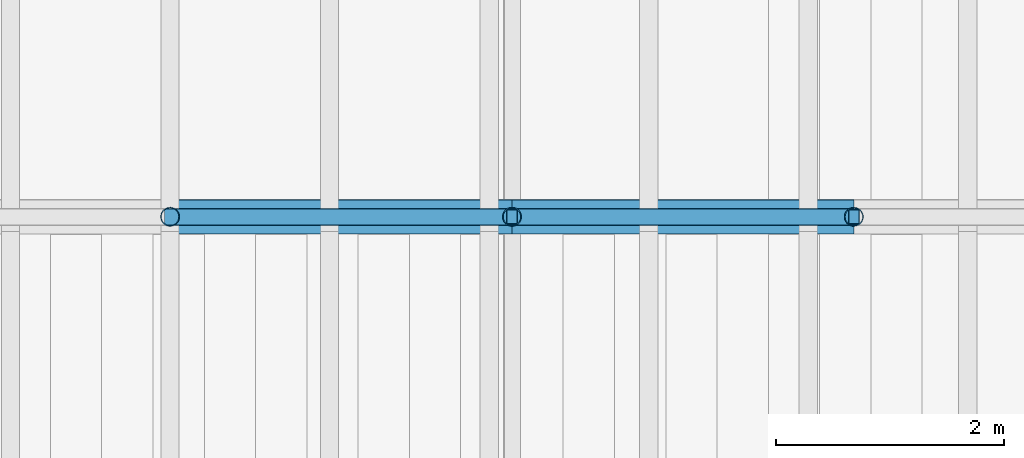
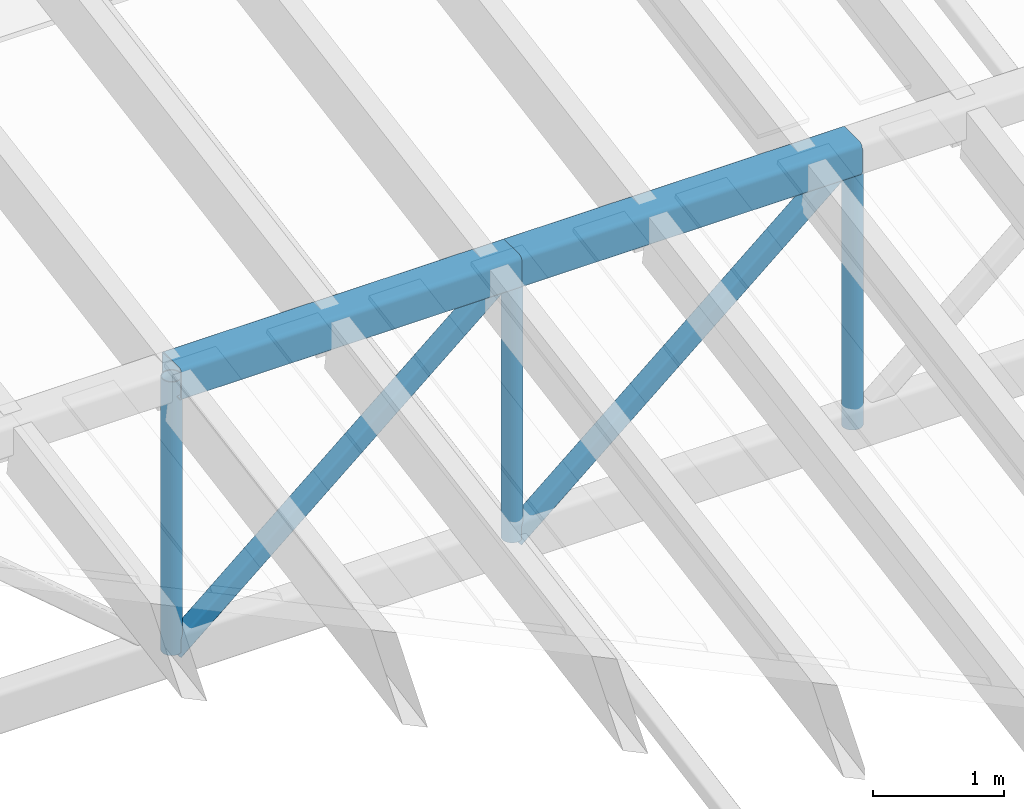
# One storey, part 29 of 91: 7 members.
"""IFC4 building model written with IfcOpenShell, lengths in metres."""

from ifc_helpers import new_model, si_unit, direction, frame, origin, origin_2d, place, context, subcontext, project, spatial, hollow_rectangle, hollow_circle, extrude, material, material_profile, profile_set, type_object, element, save


model = new_model("IFC4")

# Units and contexts
model_context = context("Model", 3, precision=1e-05, world=origin(), true_north=direction((0.0, 1.0)))
body_context = subcontext(model_context, "Body", "Model", "MODEL_VIEW")
ifc_project = project(units=[si_unit("LENGTHUNIT", "METRE"), si_unit("AREAUNIT", "SQUARE_METRE"), si_unit("VOLUMEUNIT", "CUBIC_METRE"), si_unit("PLANEANGLEUNIT", "RADIAN"), si_unit("MASSUNIT", "GRAM", prefix="KILO")], contexts=[model_context])

# Site, building, storey
site_placement = place(None, origin())
site = spatial("IfcSite", under=ifc_project, at=site_placement, CompositionType="ELEMENT")
building_placement = place(site_placement, origin())
building = spatial("IfcBuilding", under=site, at=building_placement, Name="Almond Square Museum", CompositionType="ELEMENT")
storey_placement = place(building_placement, frame((0.0, 0.0, 30.0)))
storey = spatial("IfcBuildingStorey", under=building, at=storey_placement, Name="L05", CompositionType="ELEMENT", Elevation=30.0)

# Members
ifc_material_1 = material(Name="Structural steel S355", Category="steel")
ifc_material_profile_1 = material_profile(ifc_material_1, hollow_rectangle(XDim=0.300048828125, YDim=0.300048828125, WallThickness=0.012451171875, InnerFilletRadius=0.02490234375, OuterFilletRadius=0.03759765625, at=origin_2d()))
ifc_profile_set_1 = profile_set([ifc_material_profile_1], Name="Structural steel S355")
member_type_1 = type_object("IfcMemberType", Name="Truss chord SHS 300x300x12.5", PredefinedType="CHORD", material=ifc_profile_set_1)
for number, where, z_axis, x_axis, name in (
    (1, (127.800048828125, 92.39990234375, 13.598388671875), (1.0, 0.0, 0.0), (0.0, 1.0, 0.0), "TR-06 top chord 8"),
    (2, (130.800048828125, 92.39990234375, 13.598388671875), (1.0, 0.0, 0.0), (0.0, 1.0, 0.0), "TR-06 top chord 9"),
):
    element("IfcMember", number, at=place(storey_placement, frame(where, z_axis=z_axis, x_axis=x_axis)), inside=storey, type_object=member_type_1, Name=name, PredefinedType="CHORD", context=body_context, shape_type="SweptSolid", body=[
        extrude(hollow_rectangle(XDim=0.300048828125, YDim=0.300048828125, WallThickness=0.012451171875, InnerFilletRadius=0.02490234375, OuterFilletRadius=0.03759765625, at=origin_2d()), origin(), (0.0, 0.0, 1.0), 3.0),
    ])
ifc_material_2 = material(Name="Structural steel S355", Category="steel")
ifc_material_profile_2 = material_profile(ifc_material_2, hollow_rectangle(XDim=0.14990234375, YDim=0.14990234375, WallThickness=0.008056640625, InnerFilletRadius=0.011962890625, OuterFilletRadius=0.02001953125, at=origin_2d()))
ifc_profile_set_2 = profile_set([ifc_material_profile_2], Name="Structural steel S355")
member_type_2 = type_object("IfcMemberType", Name="Truss diagonal SHS 150x150x8", PredefinedType="BRACE", material=ifc_profile_set_2)
for number, where, z_axis, x_axis, name in (
    (3, (127.800048828125, 92.39990234375, 11.050048828125), (0.762147404437, 0.0, 0.647403532513), (0.0, 1.0, 0.0), "TR-06 diagonal 8"),
    (4, (130.800048828125, 92.39990234375, 11.050048828125), (0.762147404437, 0.0, 0.647403532513), (0.0, 1.0, 0.0), "TR-06 diagonal 9"),
):
    element("IfcMember", number, at=place(storey_placement, frame(where, z_axis=z_axis, x_axis=x_axis)), inside=storey, type_object=member_type_2, Name=name, PredefinedType="BRACE", context=body_context, shape_type="SweptSolid", body=[
        extrude(hollow_rectangle(XDim=0.14990234375, YDim=0.14990234375, WallThickness=0.008056640625, InnerFilletRadius=0.011962890625, OuterFilletRadius=0.02001953125, at=origin_2d()), origin(), (0.0, 0.0, 1.0), 3.936279296875),
    ])
ifc_material_3 = material(Name="Structural steel S355", Category="steel")
ifc_material_profile_3 = material_profile(ifc_material_3, hollow_circle(Radius=0.084228515625, WallThickness=0.008056640625, at=origin_2d()))
ifc_profile_set_3 = profile_set([ifc_material_profile_3], Name="Structural steel S355")
member_type_3 = type_object("IfcMemberType", Name="Truss post CHS 168.3x8", PredefinedType="POST", material=ifc_profile_set_3)
for number, where, z_axis, x_axis, name in (
    (5, (127.800048828125, 92.39990234375, 11.050048828125), (0.0, 0.0, 1.0), (1.0, 0.0, 0.0), "TR-06 post 8"),
    (6, (130.800048828125, 92.39990234375, 11.050048828125), (0.0, 0.0, 1.0), (1.0, 0.0, 0.0), "TR-06 post 9"),
    (7, (133.800048828125, 92.39990234375, 11.050048828125), (0.0, 0.0, 1.0), (1.0, 0.0, 0.0), "TR-06 post 10"),
):
    element("IfcMember", number, at=place(storey_placement, frame(where, z_axis=z_axis, x_axis=x_axis)), inside=storey, type_object=member_type_3, Name=name, PredefinedType="POST", context=body_context, shape_type="SweptSolid", body=[
        extrude(hollow_circle(Radius=0.084228515625, WallThickness=0.008056640625, at=origin_2d()), origin(), (0.0, 0.0, 1.0), 2.54833984375),
    ])

save(model, "model.ifc")
